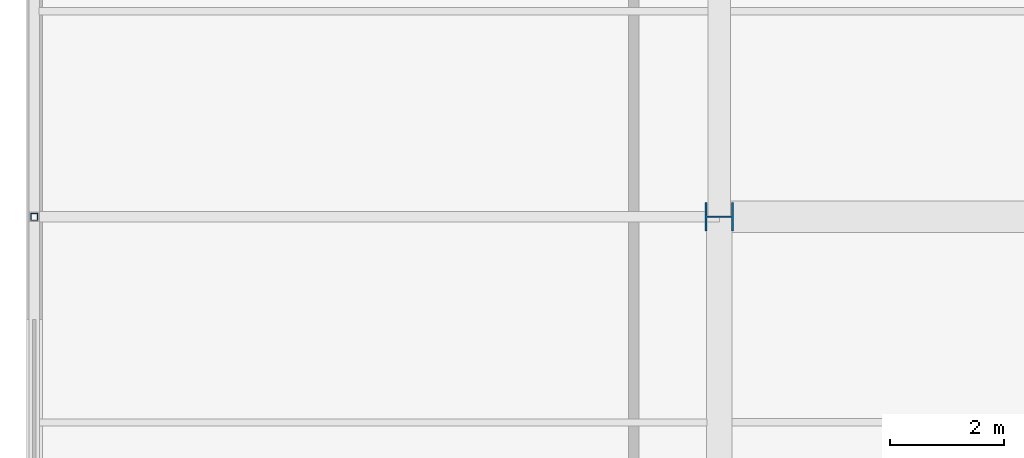
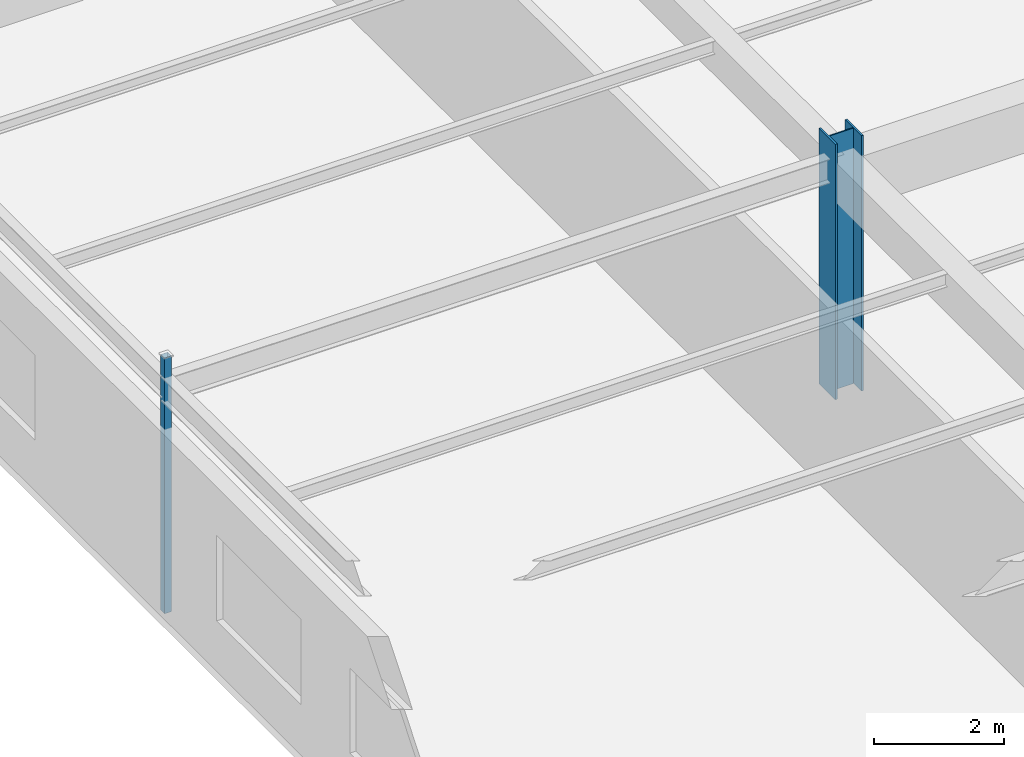
# One storey, part 22 of 226: 2 columns.
"""IFC4 building model written with IfcOpenShell, lengths in metres."""

from ifc_helpers import new_model, si_unit, direction, frame, origin, origin_2d, place, context, subcontext, project, spatial, hollow_rectangle, i_section, extrude, material, material_profile, profile_set, type_object, element, save


model = new_model("IFC4")

# Units and contexts
model_context = context("Model", 3, precision=1e-05, world=origin(), true_north=direction((0.0, 1.0)))
body_context = subcontext(model_context, "Body", "Model", "MODEL_VIEW")
ifc_project = project(units=[si_unit("LENGTHUNIT", "METRE"), si_unit("AREAUNIT", "SQUARE_METRE"), si_unit("VOLUMEUNIT", "CUBIC_METRE"), si_unit("PLANEANGLEUNIT", "RADIAN"), si_unit("MASSUNIT", "GRAM", prefix="KILO")], contexts=[model_context])

# Site, building, storey
site_placement = place(None, origin())
site = spatial("IfcSite", under=ifc_project, at=site_placement, CompositionType="ELEMENT")
building_placement = place(site_placement, origin())
building = spatial("IfcBuilding", under=site, at=building_placement, Name="Tarnwether General Hospital", CompositionType="ELEMENT")
storey_placement = place(building_placement, frame((0.0, 0.0, 4.800048828125)))
storey = spatial("IfcBuildingStorey", under=building, at=storey_placement, Name="L01", CompositionType="ELEMENT", Elevation=4.800048828125)

# Columns
ifc_material_1 = material(Name="Steel Grade 350 (350 MPa)", Category="steel")
ifc_material_profile_1 = material_profile(ifc_material_1, i_section(OverallWidth=0.5, OverallDepth=0.5, WebThickness=0.02197265625, FlangeThickness=0.035888671875, at=origin_2d()), Name="500WC380")
ifc_profile_set_1 = profile_set([ifc_material_profile_1], Name="Steel Grade 350 (350 MPa)")
column_type_1 = type_object("IfcColumnType", Name="COL-01", PredefinedType="COLUMN", material=ifc_profile_set_1)
column_1_placement = place(storey_placement, frame((12.0, 104.39990234375, 0.0), z_axis=(0.0, 0.0, 1.0), x_axis=(0.0, 1.0, 0.0)))
element("IfcColumn", 1, at=column_1_placement, inside=storey, type_object=column_type_1, Name="Column COLG-L01-1200_10440", PredefinedType="COLUMN", context=body_context, shape_type="SweptSolid", body=[
    extrude(i_section(OverallWidth=0.5, OverallDepth=0.5, WebThickness=0.02197265625, FlangeThickness=0.035888671875, at=origin_2d()), origin(), (0.0, 0.0, 1.0), 4.800048828125),
])
ifc_material_2 = material(Name="Steel Grade C350L0 (350 MPa)", Category="steel")
ifc_material_profile_2 = material_profile(ifc_material_2, hollow_rectangle(XDim=0.125, YDim=0.125, WallThickness=0.006103515625, at=origin_2d()), Name="SHS125x125x6")
ifc_profile_set_2 = profile_set([ifc_material_profile_2], Name="Steel Grade C350L0 (350 MPa)")
column_type_2 = type_object("IfcColumnType", Name="COL-34", PredefinedType="COLUMN", material=ifc_profile_set_2)
column_2_placement = place(storey_placement, frame((0.0, 104.39990234375, 0.0), z_axis=(0.0, 0.0, 1.0), x_axis=(1.0, 0.0, 0.0)))
element("IfcColumn", 2, at=column_2_placement, inside=storey, type_object=column_type_2, Name="Column COLG-L01-0_10440", PredefinedType="COLUMN", context=body_context, shape_type="SweptSolid", body=[
    extrude(hollow_rectangle(XDim=0.125, YDim=0.125, WallThickness=0.006103515625, at=origin_2d()), origin(), (0.0, 0.0, 1.0), 4.800048828125),
])

save(model, "model.ifc")
